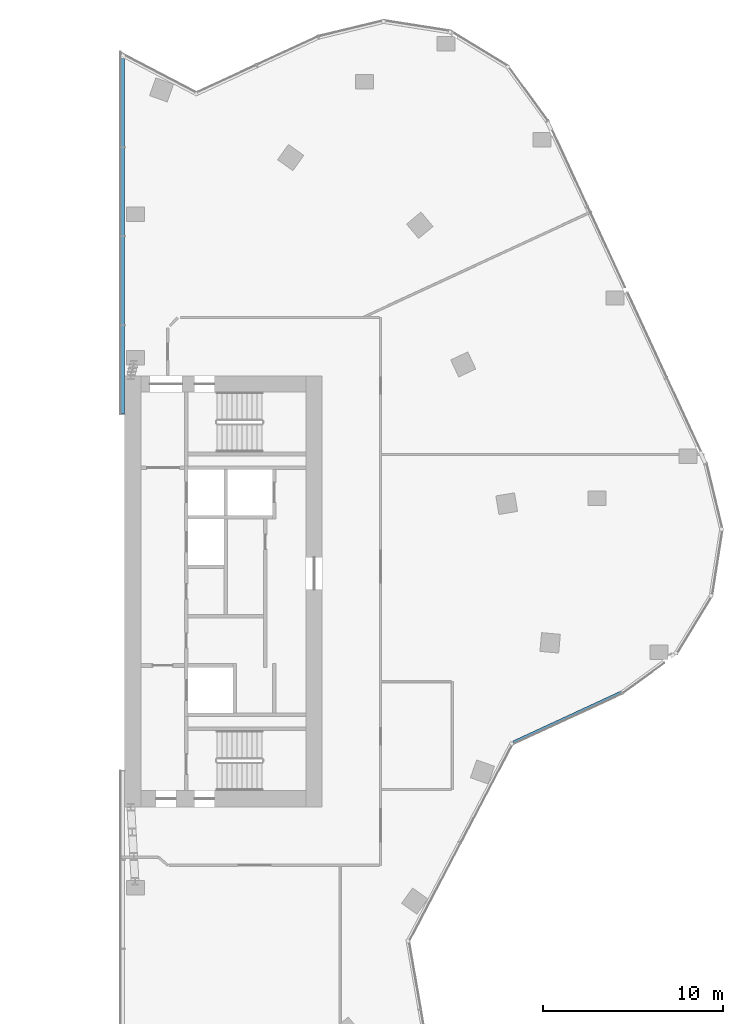
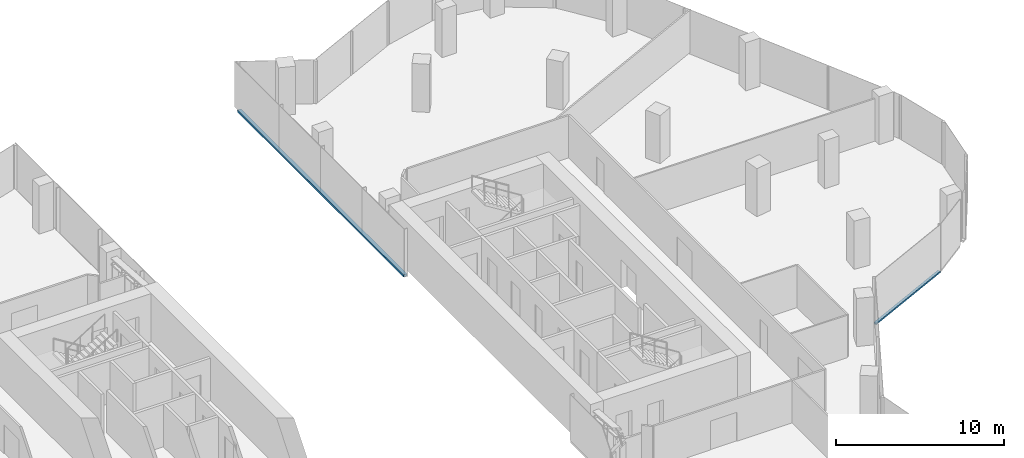
# One storey, part 8 of 23: 2 members, 2 elements without a shape of their own.
"""IFC4 building model written with IfcOpenShell, lengths in metres."""

from ifc_helpers import new_model, si_unit, direction, frame, origin, origin_2d, place, context, subcontext, project, spatial, rectangle, extrude, material, material_profile, profile_set, type_object, element, aggregate, save


model = new_model("IFC4")

# Units and contexts
model_context = context("Model", 3, precision=1e-05, world=origin(), true_north=direction((0.0, 1.0)))
body_context = subcontext(model_context, "Body", "Model", "MODEL_VIEW")
ifc_project = project(units=[si_unit("LENGTHUNIT", "METRE"), si_unit("AREAUNIT", "SQUARE_METRE"), si_unit("VOLUMEUNIT", "CUBIC_METRE"), si_unit("PLANEANGLEUNIT", "RADIAN"), si_unit("MASSUNIT", "GRAM", prefix="KILO")], contexts=[model_context])

# Site, building, storey
site_placement = place(None, origin())
site = spatial("IfcSite", under=ifc_project, at=site_placement, CompositionType="ELEMENT")
building_placement = place(site_placement, origin())
building = spatial("IfcBuilding", under=site, at=building_placement, Name="Orlundy Tower", CompositionType="ELEMENT")
storey_placement = place(building_placement, frame((0.0, 0.0, 260.5)))
storey = spatial("IfcBuildingStorey", under=building, at=storey_placement, Name="L69", CompositionType="ELEMENT", Elevation=260.5)

# Curtain wall, member
ifc_material_1 = material(Name="Aluminium bronze anodised", Category="aluminium")
curtain_wall_type = type_object("IfcCurtainWallType", Name="CW1 wall", PredefinedType="NOTDEFINED", material=ifc_material_1)
curtain_wall_1_placement = place(storey_placement, origin())
curtain_wall_1 = element("IfcCurtainWall", 1, at=curtain_wall_1_placement, inside=storey, type_object=curtain_wall_type, Name="CW1 run 110", PredefinedType="NOTDEFINED")
ifc_material_2 = material(Name="Aluminium bronze anodised", Category="aluminium")
ifc_material_profile_1 = material_profile(ifc_material_2, rectangle(XDim=0.179931640625, YDim=0.1201171875, at=origin_2d()), Name="CW1 transom 180x120")
ifc_profile_set_1 = profile_set([ifc_material_profile_1], Name="Aluminium bronze anodised")
member_type_1 = type_object("IfcMemberType", Name="CW1 transom 180x120", PredefinedType="USERDEFINED", material=ifc_profile_set_1)
member_1_placement = place(storey_placement, frame((35.64892578125, -5.639404296875, -0.340087890625), z_axis=(-0.907544697421, -0.41995550024, 0.0), x_axis=(0.41995550024, -0.907544697421, 0.0)))
member_1 = element("IfcMember", 2, at=member_1_placement, type_object=member_type_1, Name="CW1 transom", ObjectType="TRANSOM", PredefinedType="USERDEFINED", context=body_context, shape_type="SweptSolid", body=[
    extrude(rectangle(XDim=0.179931640625, YDim=0.1201171875, at=origin_2d()), origin(), (0.0, 0.0, 1.0), 6.623779296875),
])
aggregate(curtain_wall_1, [member_1])

curtain_wall_2_placement = place(storey_placement, origin())
curtain_wall_2 = element("IfcCurtainWall", 3, at=curtain_wall_2_placement, inside=storey, type_object=curtain_wall_type, Name="CW1 run 118", PredefinedType="NOTDEFINED")
ifc_material_3 = material(Name="Aluminium bronze anodised", Category="aluminium")
ifc_material_profile_2 = material_profile(ifc_material_3, rectangle(XDim=0.239990234375, YDim=0.159912109375, at=origin_2d()), Name="CW6 transom 240x160")
ifc_profile_set_2 = profile_set([ifc_material_profile_2], Name="Aluminium bronze anodised")
member_type_2 = type_object("IfcMemberType", Name="CW6 transom 240x160", PredefinedType="USERDEFINED", material=ifc_profile_set_2)
member_2_placement = place(storey_placement, frame((7.8798828125, 9.87646484375, -0.320068359375), z_axis=(0.0, 1.0, 0.0), x_axis=(-1.0, 0.0, 0.0)))
member_2 = element("IfcMember", 4, at=member_2_placement, type_object=member_type_2, Name="CW6 transom", ObjectType="TRANSOM", PredefinedType="USERDEFINED", context=body_context, shape_type="SweptSolid", body=[
    extrude(rectangle(XDim=0.239990234375, YDim=0.159912109375, at=origin_2d()), origin(), (0.0, 0.0, 1.0), 19.802490234375),
])
aggregate(curtain_wall_2, [member_2])

save(model, "model.ifc")
